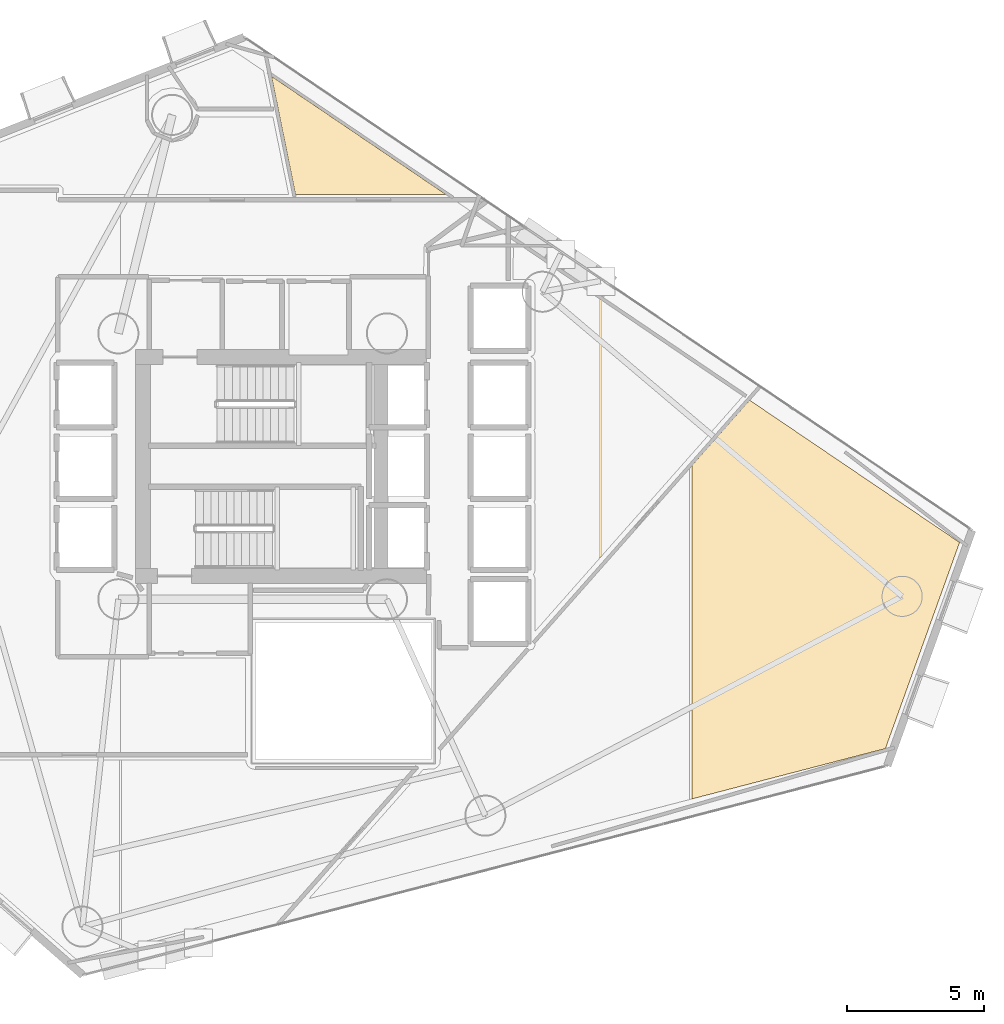
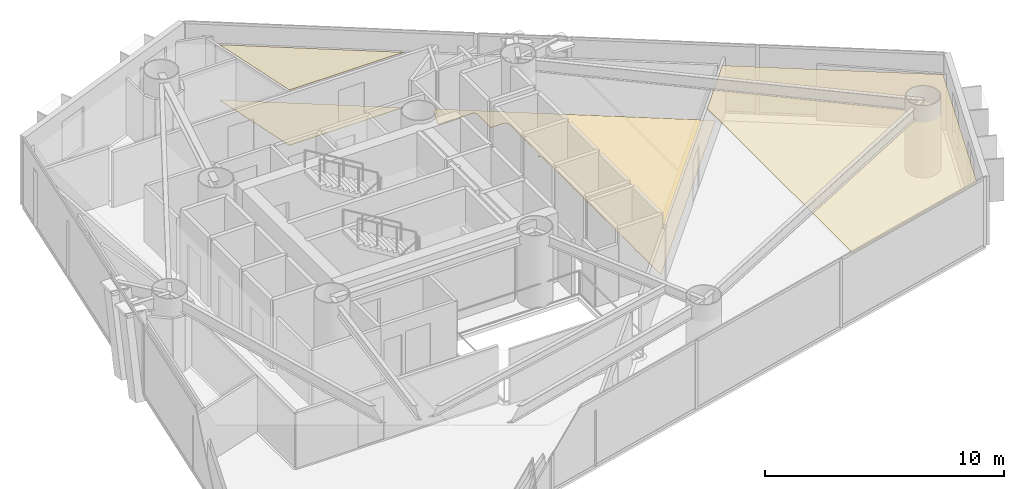
# One storey, part 21 of 21: 4 coverings.
"""IFC4 building model written with IfcOpenShell, lengths in metres."""

from ifc_helpers import new_model, si_unit, direction, frame, origin, place, context, subcontext, project, spatial, polyline, outline, extrude, material, layer, layer_set, type_object, element, save


model = new_model("IFC4")

# Units and contexts
model_context = context("Model", 3, precision=1e-05, world=origin(), true_north=direction((0.0, 1.0)))
body_context = subcontext(model_context, "Body", "Model", "MODEL_VIEW")
ifc_project = project(units=[si_unit("LENGTHUNIT", "METRE"), si_unit("AREAUNIT", "SQUARE_METRE"), si_unit("VOLUMEUNIT", "CUBIC_METRE"), si_unit("PLANEANGLEUNIT", "RADIAN"), si_unit("MASSUNIT", "GRAM", prefix="KILO")], contexts=[model_context])

# Site, building, storey
site_placement = place(None, origin())
site = spatial("IfcSite", under=ifc_project, at=site_placement, CompositionType="ELEMENT")
building_placement = place(site_placement, origin())
building = spatial("IfcBuilding", under=site, at=building_placement, Name="Qianvela Tower", CompositionType="ELEMENT")
storey_placement = place(building_placement, frame((0.0, 0.0, 105.199951171875)))
storey = spatial("IfcBuildingStorey", under=building, at=storey_placement, Name="L26", CompositionType="ELEMENT", Elevation=105.199951171875)

# Coverings
ifc_material_1 = material(Name="Perforated Mineral Acoustic Ceiling Tile")
ifc_layer_1 = layer(ifc_material_1, 0.02490234375)
ifc_layer_set_1 = layer_set([ifc_layer_1], Name="Perforated Mineral Acoustic Ceiling Tile")
covering_type_1 = type_object("IfcCoveringType", Name="COV-CEIL-ACOUSTIC-25", PredefinedType="CEILING", material=ifc_layer_set_1)
covering_1_placement = place(storey_placement, frame((0.0, 0.0, 2.81494140625)))
element("IfcCovering", 1, at=covering_1_placement, inside=storey, type_object=covering_type_1, Name="L26 Acoustic Ceiling Bay 2 Quiet Desk Workspace L26-01B", PredefinedType="CEILING", context=body_context, shape_type="SweptSolid", body=[
    extrude(outline(polyline([(51.62939453125, 31.1142578125), (59.28955078125, 25.925537109375), (56.58447265625, 18.40478515625), (49.523681640625, 16.566650390625), (49.523681640625, 28.731201171875), (51.62939453125, 31.1142578125)])), origin(), (0.0, 0.0, 1.0), 0.025146484375),
])
covering_2_placement = place(storey_placement, frame((0.0, 0.0, 2.81494140625)))
element("IfcCovering", 2, at=covering_2_placement, inside=storey, type_object=covering_type_1, Name="L26 Acoustic Ceiling Quiet Desk Workspace L26-02", PredefinedType="CEILING", context=body_context, shape_type="SweptSolid", body=[
    extrude(outline(polyline([(35.064208984375, 38.610107421875), (34.18701171875, 42.92919921875), (40.563720703125, 38.610107421875), (35.064208984375, 38.610107421875)])), origin(), (0.0, 0.0, 1.0), 0.025146484375),
])
ifc_material_2 = material(Name="Engineered Acoustic Oak Timber Flooring", Category="wood")
ifc_layer_2 = layer(ifc_material_2, 0.02001953125)
ifc_layer_set_2 = layer_set([ifc_layer_2], Name="Engineered Acoustic Oak Timber Flooring")
covering_type_2 = type_object("IfcCoveringType", Name="COV-FLOOR-OAK-20", PredefinedType="FLOORING", material=ifc_layer_set_2)
covering_3_placement = place(storey_placement, origin())
element("IfcCovering", 3, at=covering_3_placement, inside=storey, type_object=covering_type_2, Name="L26 Finish Flooring Academic Cellular Office L26-01C", PredefinedType="FLOORING", context=body_context, shape_type="SweptSolid", body=[
    extrude(outline(polyline([(43.644287109375, 32.701904296875), (43.722412109375, 32.739013671875), (43.729248046875, 32.74267578125), (43.73583984375, 32.746826171875), (43.741943359375, 32.751953125), (43.74755859375, 32.757568359375), (43.75244140625, 32.763427734375), (43.7568359375, 32.77001953125), (43.760498046875, 32.777099609375), (43.763427734375, 32.7841796875), (43.79541015625, 32.873046875), (43.79736328125, 32.879638671875), (43.798828125, 32.886474609375), (43.7998046875, 32.893310546875), (43.800048828125, 32.900146484375), (43.79736328125, 35.327392578125), (43.796875, 35.3359375), (43.79541015625, 35.344482421875), (43.793212890625, 35.352783203125), (43.7900390625, 35.36083984375), (43.785888671875, 35.368408203125), (43.7373046875, 35.44921875), (43.732666015625, 35.456298828125), (43.727294921875, 35.462890625), (43.72119140625, 35.46875), (43.71435546875, 35.47412109375), (43.70703125, 35.478515625), (43.699462890625, 35.482177734375), (43.624267578125, 35.51318359375), (43.616943359375, 35.515869140625), (43.609375, 35.517822265625), (43.6015625, 35.518798828125), (43.59375, 35.519287109375), (43.0, 35.52001953125), (43.010009765625, 36.6494140625), (43.009765625, 36.656494140625), (43.0087890625, 36.663818359375), (43.007080078125, 36.6708984375), (43.0048828125, 36.677978515625), (43.002197265625, 36.684814453125), (42.99853515625, 36.691162109375), (42.956298828125, 36.76171875), (42.951904296875, 36.7685546875), (42.946533203125, 36.77490234375), (42.940673828125, 36.780517578125), (42.93408203125, 36.78564453125), (42.92724609375, 36.7900390625), (42.919921875, 36.793701171875), (42.912353515625, 36.796630859375), (42.904296875, 36.798828125), (42.896240234375, 36.800048828125), (42.88818359375, 36.800537109375), (41.205078125, 36.809326171875), (41.534912109375, 37.75537109375), (41.67041015625, 37.860107421875), (51.395751953125, 31.2724609375), (43.799560546875, 22.67724609375), (43.800048828125, 24.60009765625), (43.7998046875, 24.606689453125), (43.798828125, 24.61376953125), (43.79736328125, 24.620361328125), (43.79541015625, 24.626953125), (43.763427734375, 24.7158203125), (43.760498046875, 24.722900390625), (43.7568359375, 24.72998046875), (43.75244140625, 24.736572265625), (43.74755859375, 24.742431640625), (43.741943359375, 24.748046875), (43.73974609375, 24.75), (43.73974609375, 24.75), (43.74609375, 24.755859375), (43.75146484375, 24.76220703125), (43.75634765625, 24.76904296875), (43.76025390625, 24.776611328125), (43.763427734375, 24.7841796875), (43.79541015625, 24.873046875), (43.79736328125, 24.879638671875), (43.798828125, 24.88623046875), (43.7998046875, 24.89306640625), (43.800048828125, 24.89990234375), (43.800048828125, 27.300048828125), (43.799560546875, 27.30810546875), (43.79833984375, 27.31591796875), (43.79638671875, 27.323486328125), (43.793701171875, 27.3310546875), (43.7646484375, 27.39990234375), (43.793701171875, 27.468994140625), (43.79638671875, 27.476318359375), (43.79833984375, 27.484130859375), (43.799560546875, 27.491943359375), (43.800048828125, 27.5), (43.800048828125, 29.89990234375), (43.799560546875, 29.907958984375), (43.79833984375, 29.915771484375), (43.79638671875, 29.923583984375), (43.793701171875, 29.93115234375), (43.7646484375, 30.0), (43.793701171875, 30.06884765625), (43.79638671875, 30.076416015625), (43.79833984375, 30.084228515625), (43.799560546875, 30.09228515625), (43.800048828125, 30.10009765625), (43.7939453125, 32.540771484375), (43.793701171875, 32.548583984375), (43.79248046875, 32.556396484375), (43.79052734375, 32.56396484375), (43.787841796875, 32.5712890625), (43.784423828125, 32.578369140625), (43.780517578125, 32.585205078125), (43.7353515625, 32.652587890625), (43.73095703125, 32.658447265625), (43.726318359375, 32.6640625), (43.720947265625, 32.6689453125), (43.715087890625, 32.673583984375), (43.708984375, 32.677490234375), (43.702392578125, 32.680908203125), (43.69580078125, 32.68359375), (43.644287109375, 32.701904296875)])), origin(), (0.0, 0.0, 1.0), 0.02001953125),
])
covering_4_placement = place(storey_placement, origin())
element("IfcCovering", 4, at=covering_4_placement, inside=storey, type_object=covering_type_2, Name="L26 Finish Flooring Quiet Desk Workspace L26-02", PredefinedType="FLOORING", context=body_context, shape_type="SweptSolid", body=[
    extrude(outline(polyline([(35.064208984375, 38.610107421875), (34.18701171875, 42.92919921875), (40.563720703125, 38.610107421875), (35.064208984375, 38.610107421875)])), origin(), (0.0, 0.0, 1.0), 0.02001953125),
])

save(model, "model.ifc")
